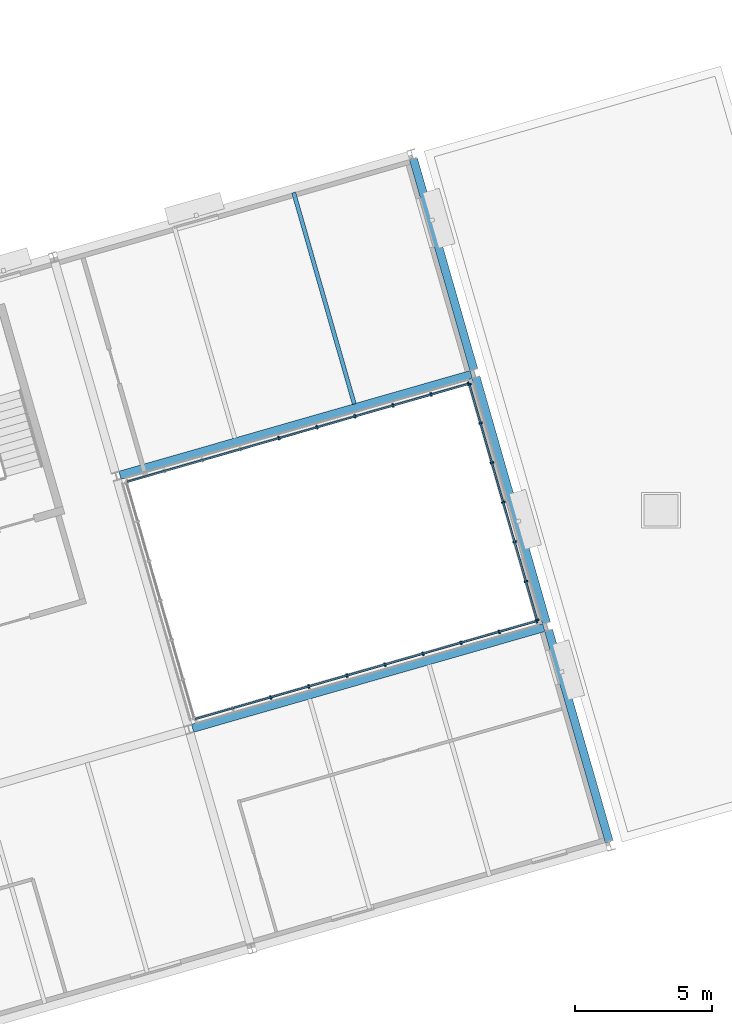
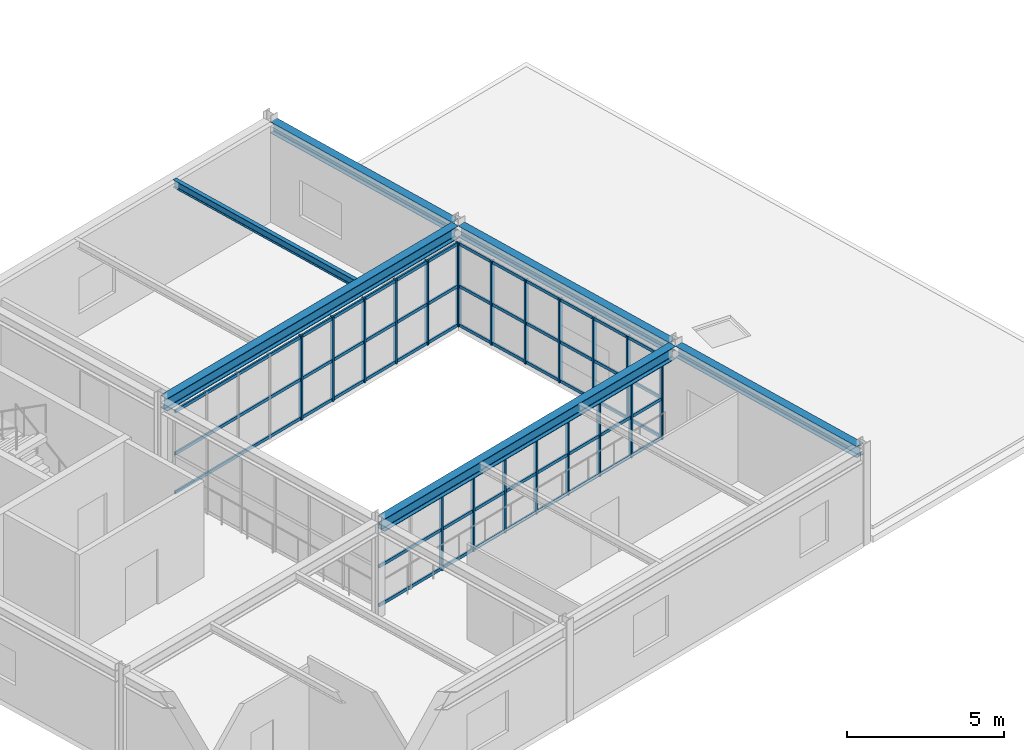
# One storey, part 19 of 44: 30 members, 6 beams, 3 elements without a shape of their own.
"""IFC4 building model written with IfcOpenShell, lengths in metres."""

from ifc_helpers import new_model, si_unit, direction, frame, origin, origin_2d, place, context, subcontext, project, spatial, rectangle, i_section, extrude, material, material_profile, profile_set, type_object, element, aggregate, save


model = new_model("IFC4")

# Units and contexts
model_context = context("Model", 3, precision=1e-05, world=origin(), true_north=direction((0.0, 1.0)))
body_context = subcontext(model_context, "Body", "Model", "MODEL_VIEW")
ifc_project = project(units=[si_unit("LENGTHUNIT", "METRE"), si_unit("AREAUNIT", "SQUARE_METRE"), si_unit("VOLUMEUNIT", "CUBIC_METRE"), si_unit("PLANEANGLEUNIT", "RADIAN"), si_unit("MASSUNIT", "GRAM", prefix="KILO")], contexts=[model_context])

# Site, building, storey
site_placement = place(None, origin())
site = spatial("IfcSite", under=ifc_project, at=site_placement, CompositionType="ELEMENT")
building_placement = place(site_placement, origin())
building = spatial("IfcBuilding", under=site, at=building_placement, Name="Varnklinge Art Gallery", CompositionType="ELEMENT")
storey_placement = place(building_placement, frame((0.0, 0.0, 13.679931640625)))
storey = spatial("IfcBuildingStorey", under=building, at=storey_placement, Name="L03", CompositionType="ELEMENT", Elevation=13.679931640625)

# Beams
ifc_material_1 = material(Name="Steel S355", Category="steel")
ifc_material_profile_1 = material_profile(ifc_material_1, i_section(OverallWidth=0.300048828125, OverallDepth=0.489990234375, WebThickness=0.011962890625, FlangeThickness=0.02294921875, FilletRadius=0.027099609375, at=origin_2d()), Name="HEA 500")
ifc_profile_set_1 = profile_set([ifc_material_profile_1], Name="Steel S355")
beam_type_1 = type_object("IfcBeamType", Name="BM-07", PredefinedType="BEAM", material=ifc_profile_set_1)
for number, where, z_axis, x_axis, name in (
    (1, (133.921142578125, 21.05029296875, 3.47509765625), (0.961263452766, 0.275631228958, 0.0), (-0.275631228958, 0.961263452766, 0.0), "L03 BM-07 BM-V6-L04-U1-1"),
    (2, (131.27490234375, 30.2783203125, 3.47509765625), (0.961263452766, 0.275631228958, 0.0), (-0.275631228958, 0.961263452766, 0.0), "L03 BM-07 BM-V6-L04-U2-1"),
):
    element("IfcBeam", number, at=place(storey_placement, frame(where, z_axis=z_axis, x_axis=x_axis)), inside=storey, type_object=beam_type_1, Name=name, PredefinedType="BEAM", context=body_context, shape_type="SweptSolid", body=[
        extrude(i_section(OverallWidth=0.300048828125, OverallDepth=0.489990234375, WebThickness=0.011962890625, FlangeThickness=0.02294921875, FilletRadius=0.027099609375, at=origin_2d()), origin(), (0.0, 0.0, 1.0), 13.31982421875),
    ])
ifc_material_2 = material(Name="Steel S355", Category="steel")
ifc_material_profile_2 = material_profile(ifc_material_2, i_section(OverallWidth=0.300048828125, OverallDepth=0.43994140625, WebThickness=0.011474609375, FlangeThickness=0.02099609375, FilletRadius=0.027099609375, at=origin_2d()), Name="HEA 450")
ifc_profile_set_2 = profile_set([ifc_material_profile_2], Name="Steel S355")
beam_type_2 = type_object("IfcBeamType", Name="BM-08", PredefinedType="BEAM", material=ifc_profile_set_2)
beam_1_placement = place(storey_placement, frame((149.10888671875, 16.91650390625, 3.5), z_axis=(-0.275649759333, 0.961258139201, 0.0), x_axis=(-0.961258139201, -0.275649759333, 0.0)))
element("IfcBeam", 3, at=beam_1_placement, inside=storey, type_object=beam_type_2, Name="L03 BM-08 BM-V6-L04-V2-0", PredefinedType="BEAM", context=body_context, shape_type="SweptSolid", body=[
    extrude(i_section(OverallWidth=0.300048828125, OverallDepth=0.43994140625, WebThickness=0.011474609375, FlangeThickness=0.02099609375, FilletRadius=0.027099609375, at=origin_2d()), origin(), (0.0, 0.0, 1.0), 8.02001953125),
])
beam_2_placement = place(storey_placement, frame((146.821044921875, 24.89501953125, 3.5), z_axis=(-0.275634404399, 0.961262542239, 0.0), x_axis=(-0.961262542239, -0.275634404399, 0.0)))
element("IfcBeam", 4, at=beam_2_placement, inside=storey, type_object=beam_type_2, Name="L03 BM-08 BM-V6-L04-V2-1", PredefinedType="BEAM", context=body_context, shape_type="SweptSolid", body=[
    extrude(i_section(OverallWidth=0.300048828125, OverallDepth=0.43994140625, WebThickness=0.011474609375, FlangeThickness=0.02099609375, FilletRadius=0.027099609375, at=origin_2d()), origin(), (0.0, 0.0, 1.0), 9.31982421875),
])
beam_3_placement = place(storey_placement, frame((144.1748046875, 34.123046875, 3.5), z_axis=(-0.275621630307, 0.961266205016, 0.0), x_axis=(-0.961266205016, -0.275621630307, 0.0)))
element("IfcBeam", 5, at=beam_3_placement, inside=storey, type_object=beam_type_2, Name="L03 BM-08 BM-V6-L04-V2-2", PredefinedType="BEAM", context=body_context, shape_type="SweptSolid", body=[
    extrude(i_section(OverallWidth=0.300048828125, OverallDepth=0.43994140625, WebThickness=0.011474609375, FlangeThickness=0.02099609375, FilletRadius=0.027099609375, at=origin_2d()), origin(), (0.0, 0.0, 1.0), 8.019775390625),
])
ifc_material_3 = material(Name="Steel S355", Category="steel")
ifc_material_profile_3 = material_profile(ifc_material_3, i_section(OverallWidth=0.14990234375, OverallDepth=0.300048828125, WebThickness=0.007080078125, FlangeThickness=0.0107421875, FilletRadius=0.014892578125, at=origin_2d()), Name="IPE 300")
ifc_profile_set_3 = profile_set([ifc_material_profile_3], Name="Steel S355")
beam_type_3 = type_object("IfcBeamType", Name="JST-08", PredefinedType="JOIST", material=ifc_profile_set_3)
beam_4_placement = place(storey_placement, frame((139.817138671875, 32.873291015625, 3.570068359375), z_axis=(-0.275613565062, 0.961268517509, 0.0), x_axis=(-0.961268517509, -0.275613565062, 0.0)))
element("IfcBeam", 6, at=beam_4_placement, inside=storey, type_object=beam_type_3, Name="L03 JST-08 JST-V6-L04-1-2-2", PredefinedType="JOIST", context=body_context, shape_type="SweptSolid", body=[
    extrude(i_section(OverallWidth=0.14990234375, OverallDepth=0.300048828125, WebThickness=0.007080078125, FlangeThickness=0.0107421875, FilletRadius=0.014892578125, at=origin_2d()), origin(), (0.0, 0.0, 1.0), 8.02001953125),
])

# Curtain wall, members
ifc_material_4 = material(Name="Anodised Aluminium", Category="aluminium")
curtain_wall_type = type_object("IfcCurtainWallType", Name="CW-C03", PredefinedType="USERDEFINED", material=ifc_material_4)
curtain_wall_1_placement = place(storey_placement, origin())
curtain_wall_1 = element("IfcCurtainWall", 7, at=curtain_wall_1_placement, inside=storey, type_object=curtain_wall_type, Name="L03 Curtain Wall CW-V6C-L03-1", ObjectType="UNITISED CURTAIN WALL", PredefinedType="USERDEFINED")
ifc_material_5 = material(Name="Anodised Aluminium", Category="aluminium")
ifc_material_profile_4 = material_profile(ifc_material_5, rectangle(XDim=0.06005859375, YDim=0.139892578125, at=origin_2d()), Name="ALU 60x140")
ifc_profile_set_4 = profile_set([ifc_material_profile_4], Name="Anodised Aluminium")
member_type_1 = type_object("IfcMemberType", Name="MUL-03", PredefinedType="MULLION", material=ifc_profile_set_4)
member_1_placement = place(storey_placement, frame((146.459716796875, 24.957763671875, 0.0), z_axis=(0.0, 0.0, 1.0), x_axis=(-0.961261695938, -0.275637355817, 0.0)))
member_1 = element("IfcMember", 8, at=member_1_placement, type_object=member_type_1, Name="CW-V6C-L03-1 Mullion 1", PredefinedType="MULLION", context=body_context, shape_type="SweptSolid", body=[
    extrude(rectangle(XDim=0.06005859375, YDim=0.139892578125, at=origin_2d()), origin(), (0.0, 0.0, 1.0), 3.27001953125),
])
member_2_placement = place(storey_placement, frame((145.10009765625, 24.56787109375, 0.0), z_axis=(0.0, 0.0, 1.0), x_axis=(-0.961261695938, -0.275637355817, 0.0)))
member_2 = element("IfcMember", 9, at=member_2_placement, type_object=member_type_1, Name="CW-V6C-L03-1 Mullion 2", PredefinedType="MULLION", context=body_context, shape_type="SweptSolid", body=[
    extrude(rectangle(XDim=0.06005859375, YDim=0.139892578125, at=origin_2d()), origin(), (0.0, 0.0, 1.0), 3.27001953125),
])
member_3_placement = place(storey_placement, frame((143.711669921875, 24.169677734375, 0.0), z_axis=(0.0, 0.0, 1.0), x_axis=(-0.961261695938, -0.275637355817, 0.0)))
member_3 = element("IfcMember", 10, at=member_3_placement, type_object=member_type_1, Name="CW-V6C-L03-1 Mullion 3", PredefinedType="MULLION", context=body_context, shape_type="SweptSolid", body=[
    extrude(rectangle(XDim=0.06005859375, YDim=0.139892578125, at=origin_2d()), origin(), (0.0, 0.0, 1.0), 3.27001953125),
])
member_4_placement = place(storey_placement, frame((142.322998046875, 23.771484375, 0.0), z_axis=(0.0, 0.0, 1.0), x_axis=(-0.961261695938, -0.275637355817, 0.0)))
member_4 = element("IfcMember", 11, at=member_4_placement, type_object=member_type_1, Name="CW-V6C-L03-1 Mullion 4", PredefinedType="MULLION", context=body_context, shape_type="SweptSolid", body=[
    extrude(rectangle(XDim=0.06005859375, YDim=0.139892578125, at=origin_2d()), origin(), (0.0, 0.0, 1.0), 3.27001953125),
])
member_5_placement = place(storey_placement, frame((140.9345703125, 23.373291015625, 0.0), z_axis=(0.0, 0.0, 1.0), x_axis=(-0.961261695938, -0.275637355817, 0.0)))
member_5 = element("IfcMember", 12, at=member_5_placement, type_object=member_type_1, Name="CW-V6C-L03-1 Mullion 5", PredefinedType="MULLION", context=body_context, shape_type="SweptSolid", body=[
    extrude(rectangle(XDim=0.06005859375, YDim=0.139892578125, at=origin_2d()), origin(), (0.0, 0.0, 1.0), 3.27001953125),
])
member_6_placement = place(storey_placement, frame((139.546142578125, 22.975341796875, 0.0), z_axis=(0.0, 0.0, 1.0), x_axis=(-0.961261695938, -0.275637355817, 0.0)))
member_6 = element("IfcMember", 13, at=member_6_placement, type_object=member_type_1, Name="CW-V6C-L03-1 Mullion 6", PredefinedType="MULLION", context=body_context, shape_type="SweptSolid", body=[
    extrude(rectangle(XDim=0.06005859375, YDim=0.139892578125, at=origin_2d()), origin(), (0.0, 0.0, 1.0), 3.27001953125),
])
member_7_placement = place(storey_placement, frame((138.15771484375, 22.5771484375, 0.0), z_axis=(0.0, 0.0, 1.0), x_axis=(-0.961261695938, -0.275637355817, 0.0)))
member_7 = element("IfcMember", 14, at=member_7_placement, type_object=member_type_1, Name="CW-V6C-L03-1 Mullion 7", PredefinedType="MULLION", context=body_context, shape_type="SweptSolid", body=[
    extrude(rectangle(XDim=0.06005859375, YDim=0.139892578125, at=origin_2d()), origin(), (0.0, 0.0, 1.0), 3.27001953125),
])
member_8_placement = place(storey_placement, frame((136.769287109375, 22.178955078125, 0.0), z_axis=(0.0, 0.0, 1.0), x_axis=(-0.961261695938, -0.275637355817, 0.0)))
member_8 = element("IfcMember", 15, at=member_8_placement, type_object=member_type_1, Name="CW-V6C-L03-1 Mullion 8", PredefinedType="MULLION", context=body_context, shape_type="SweptSolid", body=[
    extrude(rectangle(XDim=0.06005859375, YDim=0.139892578125, at=origin_2d()), origin(), (0.0, 0.0, 1.0), 3.27001953125),
])

curtain_wall_2_placement = place(storey_placement, origin())
curtain_wall_2 = element("IfcCurtainWall", 16, at=curtain_wall_2_placement, inside=storey, type_object=curtain_wall_type, Name="L03 Curtain Wall CW-V6C-L03-2", ObjectType="UNITISED CURTAIN WALL", PredefinedType="USERDEFINED")
member_9_placement = place(storey_placement, frame((144.01611328125, 33.58837890625, 0.0), z_axis=(0.0, 0.0, 1.0), x_axis=(0.275637355817, -0.961261695938, 0.0)))
member_9 = element("IfcMember", 17, at=member_9_placement, type_object=member_type_1, Name="CW-V6C-L03-2 Mullion 1", PredefinedType="MULLION", context=body_context, shape_type="SweptSolid", body=[
    extrude(rectangle(XDim=0.06005859375, YDim=0.139892578125, at=origin_2d()), origin(), (0.0, 0.0, 1.0), 3.27001953125),
])
member_10_placement = place(storey_placement, frame((144.42138671875, 32.17529296875, 0.0), z_axis=(0.0, 0.0, 1.0), x_axis=(0.275637355817, -0.961261695938, 0.0)))
member_10 = element("IfcMember", 18, at=member_10_placement, type_object=member_type_1, Name="CW-V6C-L03-2 Mullion 2", PredefinedType="MULLION", context=body_context, shape_type="SweptSolid", body=[
    extrude(rectangle(XDim=0.06005859375, YDim=0.139892578125, at=origin_2d()), origin(), (0.0, 0.0, 1.0), 3.27001953125),
])
member_11_placement = place(storey_placement, frame((144.834716796875, 30.7333984375, 0.0), z_axis=(0.0, 0.0, 1.0), x_axis=(0.275637355817, -0.961261695938, 0.0)))
member_11 = element("IfcMember", 19, at=member_11_placement, type_object=member_type_1, Name="CW-V6C-L03-2 Mullion 3", PredefinedType="MULLION", context=body_context, shape_type="SweptSolid", body=[
    extrude(rectangle(XDim=0.06005859375, YDim=0.139892578125, at=origin_2d()), origin(), (0.0, 0.0, 1.0), 3.27001953125),
])
member_12_placement = place(storey_placement, frame((145.248291015625, 29.291748046875, 0.0), z_axis=(0.0, 0.0, 1.0), x_axis=(0.275637355817, -0.961261695938, 0.0)))
member_12 = element("IfcMember", 20, at=member_12_placement, type_object=member_type_1, Name="CW-V6C-L03-2 Mullion 4", PredefinedType="MULLION", context=body_context, shape_type="SweptSolid", body=[
    extrude(rectangle(XDim=0.06005859375, YDim=0.139892578125, at=origin_2d()), origin(), (0.0, 0.0, 1.0), 3.27001953125),
])
member_13_placement = place(storey_placement, frame((145.66162109375, 27.849853515625, 0.0), z_axis=(0.0, 0.0, 1.0), x_axis=(0.275637355817, -0.961261695938, 0.0)))
member_13 = element("IfcMember", 21, at=member_13_placement, type_object=member_type_1, Name="CW-V6C-L03-2 Mullion 5", PredefinedType="MULLION", context=body_context, shape_type="SweptSolid", body=[
    extrude(rectangle(XDim=0.06005859375, YDim=0.139892578125, at=origin_2d()), origin(), (0.0, 0.0, 1.0), 3.27001953125),
])
member_14_placement = place(storey_placement, frame((146.0751953125, 26.407958984375, 0.0), z_axis=(0.0, 0.0, 1.0), x_axis=(0.275637355817, -0.961261695938, 0.0)))
member_14 = element("IfcMember", 22, at=member_14_placement, type_object=member_type_1, Name="CW-V6C-L03-2 Mullion 6", PredefinedType="MULLION", context=body_context, shape_type="SweptSolid", body=[
    extrude(rectangle(XDim=0.06005859375, YDim=0.139892578125, at=origin_2d()), origin(), (0.0, 0.0, 1.0), 3.27001953125),
])
member_15_placement = place(storey_placement, frame((146.480224609375, 24.994873046875, 0.0), z_axis=(0.0, 0.0, 1.0), x_axis=(0.275637355817, -0.961261695938, 0.0)))
member_15 = element("IfcMember", 23, at=member_15_placement, type_object=member_type_1, Name="CW-V6C-L03-2 Mullion 7", PredefinedType="MULLION", context=body_context, shape_type="SweptSolid", body=[
    extrude(rectangle(XDim=0.06005859375, YDim=0.139892578125, at=origin_2d()), origin(), (0.0, 0.0, 1.0), 3.27001953125),
])

curtain_wall_3_placement = place(storey_placement, origin())
curtain_wall_3 = element("IfcCurtainWall", 24, at=curtain_wall_3_placement, inside=storey, type_object=curtain_wall_type, Name="L03 Curtain Wall CW-V6C-L03-3", ObjectType="UNITISED CURTAIN WALL", PredefinedType="USERDEFINED")
member_16_placement = place(storey_placement, frame((137.0654296875, 31.626708984375, 0.0), z_axis=(0.0, 0.0, 1.0), x_axis=(0.961261695938, 0.275637355817, 0.0)))
member_16 = element("IfcMember", 25, at=member_16_placement, type_object=member_type_1, Name="CW-V6C-L03-3 Mullion 5", PredefinedType="MULLION", context=body_context, shape_type="SweptSolid", body=[
    extrude(rectangle(XDim=0.06005859375, YDim=0.139892578125, at=origin_2d()), origin(), (0.0, 0.0, 1.0), 3.27001953125),
])
member_17_placement = place(storey_placement, frame((138.453857421875, 32.024658203125, 0.0), z_axis=(0.0, 0.0, 1.0), x_axis=(0.961261695938, 0.275637355817, 0.0)))
member_17 = element("IfcMember", 26, at=member_17_placement, type_object=member_type_1, Name="CW-V6C-L03-3 Mullion 6", PredefinedType="MULLION", context=body_context, shape_type="SweptSolid", body=[
    extrude(rectangle(XDim=0.06005859375, YDim=0.139892578125, at=origin_2d()), origin(), (0.0, 0.0, 1.0), 3.27001953125),
])
member_18_placement = place(storey_placement, frame((139.84228515625, 32.4228515625, 0.0), z_axis=(0.0, 0.0, 1.0), x_axis=(0.961261695938, 0.275637355817, 0.0)))
member_18 = element("IfcMember", 27, at=member_18_placement, type_object=member_type_1, Name="CW-V6C-L03-3 Mullion 7", PredefinedType="MULLION", context=body_context, shape_type="SweptSolid", body=[
    extrude(rectangle(XDim=0.06005859375, YDim=0.139892578125, at=origin_2d()), origin(), (0.0, 0.0, 1.0), 3.27001953125),
])
member_19_placement = place(storey_placement, frame((141.230712890625, 32.821044921875, 0.0), z_axis=(0.0, 0.0, 1.0), x_axis=(0.961261695938, 0.275637355817, 0.0)))
member_19 = element("IfcMember", 28, at=member_19_placement, type_object=member_type_1, Name="CW-V6C-L03-3 Mullion 8", PredefinedType="MULLION", context=body_context, shape_type="SweptSolid", body=[
    extrude(rectangle(XDim=0.06005859375, YDim=0.139892578125, at=origin_2d()), origin(), (0.0, 0.0, 1.0), 3.27001953125),
])
member_20_placement = place(storey_placement, frame((142.619384765625, 33.21923828125, 0.0), z_axis=(0.0, 0.0, 1.0), x_axis=(0.961261695938, 0.275637355817, 0.0)))
member_20 = element("IfcMember", 29, at=member_20_placement, type_object=member_type_1, Name="CW-V6C-L03-3 Mullion 9", PredefinedType="MULLION", context=body_context, shape_type="SweptSolid", body=[
    extrude(rectangle(XDim=0.06005859375, YDim=0.139892578125, at=origin_2d()), origin(), (0.0, 0.0, 1.0), 3.27001953125),
])
member_21_placement = place(storey_placement, frame((143.97900390625, 33.60888671875, 0.0), z_axis=(0.0, 0.0, 1.0), x_axis=(0.961261695938, 0.275637355817, 0.0)))
member_21 = element("IfcMember", 30, at=member_21_placement, type_object=member_type_1, Name="CW-V6C-L03-3 Mullion 10", PredefinedType="MULLION", context=body_context, shape_type="SweptSolid", body=[
    extrude(rectangle(XDim=0.06005859375, YDim=0.139892578125, at=origin_2d()), origin(), (0.0, 0.0, 1.0), 3.27001953125),
])

# Member
ifc_material_6 = material(Name="Anodised Aluminium", Category="aluminium")
ifc_material_profile_5 = material_profile(ifc_material_6, rectangle(XDim=0.06005859375, YDim=0.1201171875, at=origin_2d()), Name="ALU 60x120")
ifc_profile_set_5 = profile_set([ifc_material_profile_5], Name="Anodised Aluminium")
member_type_2 = type_object("IfcMemberType", Name="TRN-02", PredefinedType="USERDEFINED", material=ifc_profile_set_5)
member_22_placement = place(storey_placement, frame((146.459716796875, 24.957763671875, 0.06005859375), z_axis=(-0.961263648834, -0.275630545169, 0.0), x_axis=(0.275630545169, -0.961263648834, 0.0)))
member_22 = element("IfcMember", 31, at=member_22_placement, type_object=member_type_2, Name="CW-V6C-L03-1 Transom 1", ObjectType="TRANSOM", PredefinedType="USERDEFINED", context=body_context, shape_type="SweptSolid", body=[
    extrude(rectangle(XDim=0.06005859375, YDim=0.1201171875, at=origin_2d()), origin(), (0.0, 0.0, 1.0), 12.93994140625),
])

member_23_placement = place(storey_placement, frame((146.459716796875, 24.957763671875, 1.569580078125), z_axis=(-0.961263648834, -0.275630545169, 0.0), x_axis=(0.275630545169, -0.961263648834, 0.0)))
member_23 = element("IfcMember", 32, at=member_23_placement, type_object=member_type_2, Name="CW-V6C-L03-1 Transom 2", ObjectType="TRANSOM", PredefinedType="USERDEFINED", context=body_context, shape_type="SweptSolid", body=[
    extrude(rectangle(XDim=0.06005859375, YDim=0.1201171875, at=origin_2d()), origin(), (0.0, 0.0, 1.0), 12.93994140625),
])

member_24_placement = place(storey_placement, frame((146.459716796875, 24.957763671875, 3.2099609375), z_axis=(-0.961263648834, -0.275630545169, 0.0), x_axis=(0.275630545169, -0.961263648834, 0.0)))
member_24 = element("IfcMember", 33, at=member_24_placement, type_object=member_type_2, Name="CW-V6C-L03-1 Transom 3", ObjectType="TRANSOM", PredefinedType="USERDEFINED", context=body_context, shape_type="SweptSolid", body=[
    extrude(rectangle(XDim=0.06005859375, YDim=0.1201171875, at=origin_2d()), origin(), (0.0, 0.0, 1.0), 12.93994140625),
])

aggregate(curtain_wall_1, [member_1, member_2, member_3, member_4, member_5, member_6, member_7, member_8, member_22, member_23, member_24])

member_25_placement = place(storey_placement, frame((144.01611328125, 33.58837890625, 0.06005859375), z_axis=(0.275633549608, -0.961262787343, 0.0), x_axis=(0.961262787343, 0.275633549608, 0.0)))
member_25 = element("IfcMember", 34, at=member_25_placement, type_object=member_type_2, Name="CW-V6C-L03-2 Transom 1", ObjectType="TRANSOM", PredefinedType="USERDEFINED", context=body_context, shape_type="SweptSolid", body=[
    extrude(rectangle(XDim=0.06005859375, YDim=0.1201171875, at=origin_2d()), origin(), (0.0, 0.0, 1.0), 8.939697265625),
])

member_26_placement = place(storey_placement, frame((144.01611328125, 33.58837890625, 1.569580078125), z_axis=(0.275633549608, -0.961262787343, 0.0), x_axis=(0.961262787343, 0.275633549608, 0.0)))
member_26 = element("IfcMember", 35, at=member_26_placement, type_object=member_type_2, Name="CW-V6C-L03-2 Transom 2", ObjectType="TRANSOM", PredefinedType="USERDEFINED", context=body_context, shape_type="SweptSolid", body=[
    extrude(rectangle(XDim=0.06005859375, YDim=0.1201171875, at=origin_2d()), origin(), (0.0, 0.0, 1.0), 8.939697265625),
])

member_27_placement = place(storey_placement, frame((144.01611328125, 33.58837890625, 3.2099609375), z_axis=(0.275633549608, -0.961262787343, 0.0), x_axis=(0.961262787343, 0.275633549608, 0.0)))
member_27 = element("IfcMember", 36, at=member_27_placement, type_object=member_type_2, Name="CW-V6C-L03-2 Transom 3", ObjectType="TRANSOM", PredefinedType="USERDEFINED", context=body_context, shape_type="SweptSolid", body=[
    extrude(rectangle(XDim=0.06005859375, YDim=0.1201171875, at=origin_2d()), origin(), (0.0, 0.0, 1.0), 8.939697265625),
])

aggregate(curtain_wall_2, [member_9, member_10, member_11, member_12, member_13, member_14, member_15, member_25, member_26, member_27])

member_28_placement = place(storey_placement, frame((131.540283203125, 30.042236328125, 0.06005859375), z_axis=(0.961263648834, 0.275630545169, 0.0), x_axis=(-0.275630545169, 0.961263648834, 0.0)))
member_28 = element("IfcMember", 37, at=member_28_placement, type_object=member_type_2, Name="CW-V6C-L03-3 Transom 1", ObjectType="TRANSOM", PredefinedType="USERDEFINED", context=body_context, shape_type="SweptSolid", body=[
    extrude(rectangle(XDim=0.06005859375, YDim=0.1201171875, at=origin_2d()), origin(), (0.0, 0.0, 1.0), 12.93994140625),
])

member_29_placement = place(storey_placement, frame((131.540283203125, 30.042236328125, 1.569580078125), z_axis=(0.961263648834, 0.275630545169, 0.0), x_axis=(-0.275630545169, 0.961263648834, 0.0)))
member_29 = element("IfcMember", 38, at=member_29_placement, type_object=member_type_2, Name="CW-V6C-L03-3 Transom 2", ObjectType="TRANSOM", PredefinedType="USERDEFINED", context=body_context, shape_type="SweptSolid", body=[
    extrude(rectangle(XDim=0.06005859375, YDim=0.1201171875, at=origin_2d()), origin(), (0.0, 0.0, 1.0), 12.93994140625),
])

member_30_placement = place(storey_placement, frame((131.540283203125, 30.042236328125, 3.2099609375), z_axis=(0.961263648834, 0.275630545169, 0.0), x_axis=(-0.275630545169, 0.961263648834, 0.0)))
member_30 = element("IfcMember", 39, at=member_30_placement, type_object=member_type_2, Name="CW-V6C-L03-3 Transom 3", ObjectType="TRANSOM", PredefinedType="USERDEFINED", context=body_context, shape_type="SweptSolid", body=[
    extrude(rectangle(XDim=0.06005859375, YDim=0.1201171875, at=origin_2d()), origin(), (0.0, 0.0, 1.0), 12.93994140625),
])

aggregate(curtain_wall_3, [member_16, member_17, member_18, member_19, member_20, member_21, member_28, member_29, member_30])

save(model, "model.ifc")
